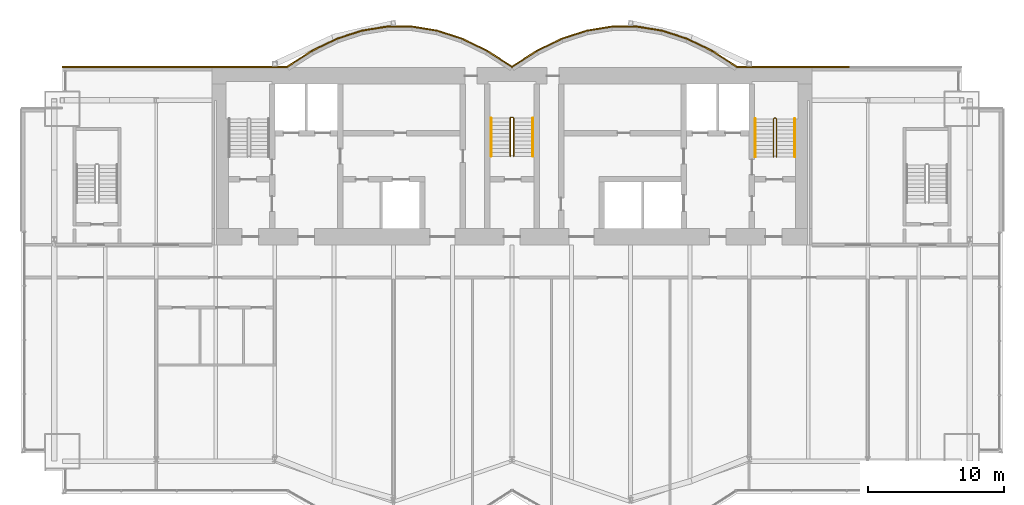
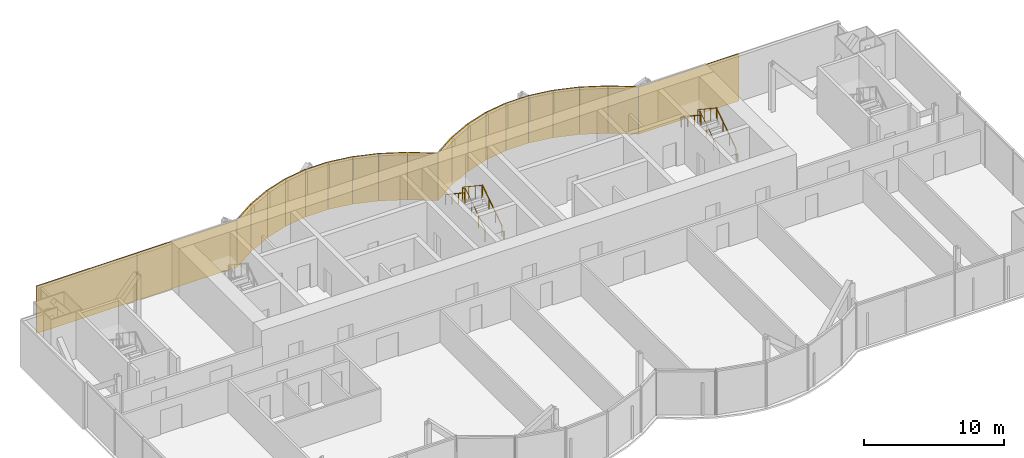
# One storey, part 19 of 20: 21 coverings, 6 railings.
"""IFC4 building model written with IfcOpenShell, lengths in metres."""

from ifc_helpers import new_model, si_unit, direction, frame, origin, origin_2d, place, context, subcontext, project, spatial, rectangle, circle, extrude, material, layer, layer_set, type_object, element, save


model = new_model("IFC4")

# Units and contexts
model_context = context("Model", 3, precision=1e-05, world=origin(), true_north=direction((0.0, 1.0)))
body_context = subcontext(model_context, "Body", "Model", "MODEL_VIEW")
ifc_project = project(units=[si_unit("LENGTHUNIT", "METRE"), si_unit("AREAUNIT", "SQUARE_METRE"), si_unit("VOLUMEUNIT", "CUBIC_METRE"), si_unit("PLANEANGLEUNIT", "RADIAN"), si_unit("MASSUNIT", "GRAM", prefix="KILO")], contexts=[model_context])

# Site, building, storey
site_placement = place(None, origin())
site = spatial("IfcSite", under=ifc_project, at=site_placement, CompositionType="ELEMENT")
building_placement = place(site_placement, origin())
building = spatial("IfcBuilding", under=site, at=building_placement, Name="Bicima Exchange Tower", CompositionType="ELEMENT")
storey_placement = place(building_placement, frame((0.0, 0.0, 223.699951171875)))
storey = spatial("IfcBuildingStorey", under=building, at=storey_placement, Name="L50", CompositionType="ELEMENT", Elevation=223.699951171875)

# Coverings
ifc_material_1 = material(Name="Bronze metal cladding")
ifc_layer_1 = layer(ifc_material_1, 0.004)
ifc_material_2 = material(Name="Ventilated cavity")
ifc_layer_2 = layer(ifc_material_2, 0.06)
ifc_material_3 = material(Name="Galvanised steel rail and mineral wool", Category="steel")
ifc_layer_3 = layer(ifc_material_3, 0.036)
ifc_layer_set = layer_set([ifc_layer_1, ifc_layer_2, ifc_layer_3], Name="Ventilated cavity")
covering_type = type_object("IfcCoveringType", Name="Bronze metal cladding panel 100", PredefinedType="CLADDING", material=ifc_layer_set)
covering_1_placement = place(storey_placement, frame((20.625, 0.050048828125, -0.14990234375), z_axis=(0.0, 0.0, 1.0), x_axis=(-1.0, 0.0, 0.0)))
element("IfcCovering", 1, at=covering_1_placement, inside=storey, type_object=covering_type, Name="Bronze cladding L50 1.2", PredefinedType="CLADDING", context=body_context, shape_type="SweptSolid", body=[
    extrude(rectangle(XDim=8.25, YDim=0.10009765625, at=origin_2d()), origin(), (0.0, 0.0, 1.0), 4.10009765625),
])
covering_2_placement = place(storey_placement, frame((15.610595703125, 0.634521484375, -0.14990234375), z_axis=(0.0, 0.0, 1.0), x_axis=(-0.839790466384, 0.542910648791, 0.0)))
element("IfcCovering", 2, at=covering_2_placement, inside=storey, type_object=covering_type, Name="Bronze cladding L50 2.1", PredefinedType="CLADDING", context=body_context, shape_type="SweptSolid", body=[
    extrude(rectangle(XDim=2.18310546875, YDim=0.10009765625, at=origin_2d()), origin(), (0.0, 0.0, 1.0), 4.10009765625),
])
covering_3_placement = place(storey_placement, frame((13.771728515625, 1.674560546875, -0.14990234375), z_axis=(0.0, 0.0, 1.0), x_axis=(-0.899818346812, 0.436264762204, 0.0)))
element("IfcCovering", 3, at=covering_3_placement, inside=storey, type_object=covering_type, Name="Bronze cladding L50 3.1", PredefinedType="CLADDING", context=body_context, shape_type="SweptSolid", body=[
    extrude(rectangle(XDim=2.03759765625, YDim=0.10009765625, at=origin_2d()), origin(), (0.0, 0.0, 1.0), 4.10009765625),
])
covering_4_placement = place(storey_placement, frame((11.931884765625, 2.41796875, -0.14990234375), z_axis=(0.0, 0.0, 1.0), x_axis=(-0.951524642381, 0.307572519808, 0.0)))
element("IfcCovering", 4, at=covering_4_placement, inside=storey, type_object=covering_type, Name="Bronze cladding L50 4.1", PredefinedType="CLADDING", context=body_context, shape_type="SweptSolid", body=[
    extrude(rectangle(XDim=1.9267578125, YDim=0.10009765625, at=origin_2d()), origin(), (0.0, 0.0, 1.0), 4.10009765625),
])
covering_5_placement = place(storey_placement, frame((10.09130859375, 2.8642578125, -0.14990234375), z_axis=(0.0, 0.0, 1.0), x_axis=(-0.987189786347, 0.159550386184, 0.0)))
element("IfcCovering", 5, at=covering_5_placement, inside=storey, type_object=covering_type, Name="Bronze cladding L50 5.1", PredefinedType="CLADDING", context=body_context, shape_type="SweptSolid", body=[
    extrude(rectangle(XDim=1.857177734375, YDim=0.10009765625, at=origin_2d()), origin(), (0.0, 0.0, 1.0), 4.10009765625),
])
covering_6_placement = place(storey_placement, frame((8.25, 3.012939453125, -0.14990234375), z_axis=(0.0, 0.0, 1.0), x_axis=(-1.0, 0.0, 0.0)))
element("IfcCovering", 6, at=covering_6_placement, inside=storey, type_object=covering_type, Name="Bronze cladding L50 6.1", PredefinedType="CLADDING", context=body_context, shape_type="SweptSolid", body=[
    extrude(rectangle(XDim=1.83349609375, YDim=0.10009765625, at=origin_2d()), origin(), (0.0, 0.0, 1.0), 4.10009765625),
])
covering_7_placement = place(storey_placement, frame((6.40869140625, 2.8642578125, -0.14990234375), z_axis=(0.0, 0.0, 1.0), x_axis=(-0.987189786347, -0.159550386184, 0.0)))
element("IfcCovering", 7, at=covering_7_placement, inside=storey, type_object=covering_type, Name="Bronze cladding L50 7.1", PredefinedType="CLADDING", context=body_context, shape_type="SweptSolid", body=[
    extrude(rectangle(XDim=1.857177734375, YDim=0.10009765625, at=origin_2d()), origin(), (0.0, 0.0, 1.0), 4.10009765625),
])
covering_8_placement = place(storey_placement, frame((4.568115234375, 2.41796875, -0.14990234375), z_axis=(0.0, 0.0, 1.0), x_axis=(-0.951524642381, -0.307572519808, 0.0)))
element("IfcCovering", 8, at=covering_8_placement, inside=storey, type_object=covering_type, Name="Bronze cladding L50 8.1", PredefinedType="CLADDING", context=body_context, shape_type="SweptSolid", body=[
    extrude(rectangle(XDim=1.9267578125, YDim=0.10009765625, at=origin_2d()), origin(), (0.0, 0.0, 1.0), 4.10009765625),
])
covering_9_placement = place(storey_placement, frame((2.728271484375, 1.674560546875, -0.14990234375), z_axis=(0.0, 0.0, 1.0), x_axis=(-0.899818346812, -0.436264762204, 0.0)))
element("IfcCovering", 9, at=covering_9_placement, inside=storey, type_object=covering_type, Name="Bronze cladding L50 9.1", PredefinedType="CLADDING", context=body_context, shape_type="SweptSolid", body=[
    extrude(rectangle(XDim=2.03759765625, YDim=0.10009765625, at=origin_2d()), origin(), (0.0, 0.0, 1.0), 4.10009765625),
])
for number, where, z_axis, x_axis, name in (
    (10, (0.889404296875, 0.634521484375, -0.14990234375), (0.0, 0.0, 1.0), (-0.839790466384, -0.542910648791, 0.0), "Bronze cladding L50 10.1"),
    (11, (-0.889404296875, 0.634521484375, -0.14990234375), (0.0, 0.0, 1.0), (-0.839790466384, 0.542910648791, 0.0), "Bronze cladding L50 11.1"),
):
    element("IfcCovering", number, at=place(storey_placement, frame(where, z_axis=z_axis, x_axis=x_axis)), inside=storey, type_object=covering_type, Name=name, PredefinedType="CLADDING", context=body_context, shape_type="SweptSolid", body=[
        extrude(rectangle(XDim=2.18310546875, YDim=0.10009765625, at=origin_2d()), origin(), (0.0, 0.0, 1.0), 4.10009765625),
    ])
covering_10_placement = place(storey_placement, frame((-2.728271484375, 1.674560546875, -0.14990234375), z_axis=(0.0, 0.0, 1.0), x_axis=(-0.899818346812, 0.436264762204, 0.0)))
element("IfcCovering", 12, at=covering_10_placement, inside=storey, type_object=covering_type, Name="Bronze cladding L50 12.1", PredefinedType="CLADDING", context=body_context, shape_type="SweptSolid", body=[
    extrude(rectangle(XDim=2.03759765625, YDim=0.10009765625, at=origin_2d()), origin(), (0.0, 0.0, 1.0), 4.10009765625),
])
covering_11_placement = place(storey_placement, frame((-4.568115234375, 2.41796875, -0.14990234375), z_axis=(0.0, 0.0, 1.0), x_axis=(-0.951524642381, 0.307572519808, 0.0)))
element("IfcCovering", 13, at=covering_11_placement, inside=storey, type_object=covering_type, Name="Bronze cladding L50 13.1", PredefinedType="CLADDING", context=body_context, shape_type="SweptSolid", body=[
    extrude(rectangle(XDim=1.9267578125, YDim=0.10009765625, at=origin_2d()), origin(), (0.0, 0.0, 1.0), 4.10009765625),
])
covering_12_placement = place(storey_placement, frame((-6.40869140625, 2.8642578125, -0.14990234375), z_axis=(0.0, 0.0, 1.0), x_axis=(-0.987189786347, 0.159550386184, 0.0)))
element("IfcCovering", 14, at=covering_12_placement, inside=storey, type_object=covering_type, Name="Bronze cladding L50 14.1", PredefinedType="CLADDING", context=body_context, shape_type="SweptSolid", body=[
    extrude(rectangle(XDim=1.857177734375, YDim=0.10009765625, at=origin_2d()), origin(), (0.0, 0.0, 1.0), 4.10009765625),
])
covering_13_placement = place(storey_placement, frame((-8.25, 3.012939453125, -0.14990234375), z_axis=(0.0, 0.0, 1.0), x_axis=(-1.0, 0.0, 0.0)))
element("IfcCovering", 15, at=covering_13_placement, inside=storey, type_object=covering_type, Name="Bronze cladding L50 15.1", PredefinedType="CLADDING", context=body_context, shape_type="SweptSolid", body=[
    extrude(rectangle(XDim=1.83349609375, YDim=0.10009765625, at=origin_2d()), origin(), (0.0, 0.0, 1.0), 4.10009765625),
])
covering_14_placement = place(storey_placement, frame((-10.09130859375, 2.8642578125, -0.14990234375), z_axis=(0.0, 0.0, 1.0), x_axis=(-0.987189786347, -0.159550386184, 0.0)))
element("IfcCovering", 16, at=covering_14_placement, inside=storey, type_object=covering_type, Name="Bronze cladding L50 16.1", PredefinedType="CLADDING", context=body_context, shape_type="SweptSolid", body=[
    extrude(rectangle(XDim=1.857177734375, YDim=0.10009765625, at=origin_2d()), origin(), (0.0, 0.0, 1.0), 4.10009765625),
])
covering_15_placement = place(storey_placement, frame((-11.931884765625, 2.41796875, -0.14990234375), z_axis=(0.0, 0.0, 1.0), x_axis=(-0.951524642381, -0.307572519808, 0.0)))
element("IfcCovering", 17, at=covering_15_placement, inside=storey, type_object=covering_type, Name="Bronze cladding L50 17.1", PredefinedType="CLADDING", context=body_context, shape_type="SweptSolid", body=[
    extrude(rectangle(XDim=1.9267578125, YDim=0.10009765625, at=origin_2d()), origin(), (0.0, 0.0, 1.0), 4.10009765625),
])
covering_16_placement = place(storey_placement, frame((-13.771728515625, 1.674560546875, -0.14990234375), z_axis=(0.0, 0.0, 1.0), x_axis=(-0.899818346812, -0.436264762204, 0.0)))
element("IfcCovering", 18, at=covering_16_placement, inside=storey, type_object=covering_type, Name="Bronze cladding L50 18.1", PredefinedType="CLADDING", context=body_context, shape_type="SweptSolid", body=[
    extrude(rectangle(XDim=2.03759765625, YDim=0.10009765625, at=origin_2d()), origin(), (0.0, 0.0, 1.0), 4.10009765625),
])
covering_17_placement = place(storey_placement, frame((-15.610595703125, 0.634521484375, -0.14990234375), z_axis=(0.0, 0.0, 1.0), x_axis=(-0.839790466384, -0.542910648791, 0.0)))
element("IfcCovering", 19, at=covering_17_placement, inside=storey, type_object=covering_type, Name="Bronze cladding L50 19.1", PredefinedType="CLADDING", context=body_context, shape_type="SweptSolid", body=[
    extrude(rectangle(XDim=2.18310546875, YDim=0.10009765625, at=origin_2d()), origin(), (0.0, 0.0, 1.0), 4.10009765625),
])
for number, where, z_axis, x_axis, name in (
    (20, (-20.625, 0.050048828125, -0.14990234375), (0.0, 0.0, 1.0), (-1.0, 0.0, 0.0), "Bronze cladding L50 20.1"),
    (21, (-28.875, 0.050048828125, -0.14990234375), (0.0, 0.0, 1.0), (-1.0, 0.0, 0.0), "Bronze cladding L50 20.2"),
):
    element("IfcCovering", number, at=place(storey_placement, frame(where, z_axis=z_axis, x_axis=x_axis)), inside=storey, type_object=covering_type, Name=name, PredefinedType="CLADDING", context=body_context, shape_type="SweptSolid", body=[
        extrude(rectangle(XDim=8.25, YDim=0.10009765625, at=origin_2d()), origin(), (0.0, 0.0, 1.0), 4.10009765625),
    ])

# Railings
ifc_material_4 = material(Name="Stainless steel", Category="steel")
railing_type_1 = type_object("IfcRailingType", Name="Stair guard 1100", PredefinedType="GUARDRAIL", material=ifc_material_4)
railing_1_placement = place(storey_placement, frame((0.125, -6.5, 0.1865234375)))
element("IfcRailing", 22, at=railing_1_placement, inside=storey, type_object=railing_type_1, Name="L50 ST-C stair guard 1", PredefinedType="GUARDRAIL", context=body_context, shape_type="SweptSolid", body=[
    extrude(circle(Radius=0.02392578125, at=origin_2d()), frame((0.0, 0.0, 1.076171875), z_axis=(0.0, 0.832485552168, 0.554046753832), x_axis=(-1.0, 0.0, 0.0)), (0.0, 0.0, 1.0), 3.363525390625),
    extrude(circle(Radius=0.02392578125, at=origin_2d()), frame((0.0, 2.800048828125, 2.939453125), z_axis=(-0.707106781187, 0.707106781187, 0.0), x_axis=(-0.707106781187, -0.707106781187, 0.0)), (0.0, 0.0, 1.0), 0.07080078125),
    extrude(circle(Radius=0.02392578125, at=origin_2d()), frame((-0.050048828125, 2.85009765625, 2.939453125), z_axis=(-1.0, 0.0, 0.0), x_axis=(0.0, -1.0, 0.0)), (0.0, 0.0, 1.0), 0.14990234375),
    extrude(circle(Radius=0.02392578125, at=origin_2d()), frame((-0.199951171875, 2.85009765625, 2.939453125), z_axis=(-0.251157038772, -0.251157038772, 0.934794246747), x_axis=(0.707106781187, -0.707106781187, 0.0)), (0.0, 0.0, 1.0), 0.19921875),
    extrude(circle(Radius=0.02392578125, at=origin_2d()), frame((-0.25, 2.800048828125, 3.1259765625), z_axis=(0.0, -0.832452072856, 0.554097055034), x_axis=(1.0, 0.0, 0.0)), (0.0, 0.0, 1.0), 3.363525390625),
    extrude(circle(Radius=0.02099609375, at=origin_2d()), origin(), (0.0, 0.0, 1.0), 1.052001953125),
    extrude(circle(Radius=0.02099609375, at=origin_2d()), frame((0.0, 0.933349609375, 0.62109375)), (0.0, 0.0, 1.0), 1.052001953125),
    extrude(circle(Radius=0.02099609375, at=origin_2d()), frame((0.0, 1.86669921875, 1.242431640625)), (0.0, 0.0, 1.0), 1.052001953125),
    extrude(circle(Radius=0.02099609375, at=origin_2d()), frame((0.0, 2.800048828125, 1.863525390625)), (0.0, 0.0, 1.0), 1.052001953125),
    extrude(circle(Radius=0.02099609375, at=origin_2d()), frame((-0.050048828125, 2.85009765625, 1.863525390625)), (0.0, 0.0, 1.0), 1.052001953125),
    extrude(circle(Radius=0.02099609375, at=origin_2d()), frame((-0.199951171875, 2.85009765625, 1.863525390625)), (0.0, 0.0, 1.0), 1.052001953125),
    extrude(circle(Radius=0.02099609375, at=origin_2d()), frame((-0.25, 2.800048828125, 2.0498046875)), (0.0, 0.0, 1.0), 1.052001953125),
    extrude(circle(Radius=0.02099609375, at=origin_2d()), frame((-0.25, 1.86669921875, 2.671142578125)), (0.0, 0.0, 1.0), 1.052001953125),
    extrude(circle(Radius=0.02099609375, at=origin_2d()), frame((-0.25, 0.933349609375, 3.292236328125)), (0.0, 0.0, 1.0), 1.052001953125),
    extrude(circle(Radius=0.02099609375, at=origin_2d()), frame((-0.25, 0.0, 3.91357421875)), (0.0, 0.0, 1.0), 1.052001953125),
])
railing_2_placement = place(storey_placement, frame((19.39990234375, -6.550048828125, 0.1865234375)))
element("IfcRailing", 23, at=railing_2_placement, inside=storey, type_object=railing_type_1, Name="L50 ST-E stair guard 1", PredefinedType="GUARDRAIL", context=body_context, shape_type="SweptSolid", body=[
    extrude(circle(Radius=0.02392578125, at=origin_2d()), frame((0.0, 0.0, 1.076171875), z_axis=(0.0, 0.832485552168, 0.554046753832), x_axis=(-1.0, 0.0, 0.0)), (0.0, 0.0, 1.0), 3.363525390625),
    extrude(circle(Radius=0.02392578125, at=origin_2d()), frame((0.0, 2.800048828125, 2.939453125), z_axis=(-0.705375805398, 0.708833529934, 0.0), x_axis=(-0.708833529934, -0.705375805398, 0.0)), (0.0, 0.0, 1.0), 0.070556640625),
    extrude(circle(Radius=0.02392578125, at=origin_2d()), frame((-0.0498046875, 2.85009765625, 2.939453125), z_axis=(-1.0, 0.0, 0.0), x_axis=(0.0, -1.0, 0.0)), (0.0, 0.0, 1.0), 0.10009765625),
    extrude(circle(Radius=0.02392578125, at=origin_2d()), frame((-0.14990234375, 2.85009765625, 2.939453125), z_axis=(-0.251157038772, -0.251157038772, 0.934794246747), x_axis=(0.707106781187, -0.707106781187, 0.0)), (0.0, 0.0, 1.0), 0.19921875),
    extrude(circle(Radius=0.02392578125, at=origin_2d()), frame((-0.199951171875, 2.800048828125, 3.1259765625), z_axis=(0.0, -0.832452072856, 0.554097055034), x_axis=(1.0, 0.0, 0.0)), (0.0, 0.0, 1.0), 3.363525390625),
    extrude(circle(Radius=0.02099609375, at=origin_2d()), origin(), (0.0, 0.0, 1.0), 1.052001953125),
    extrude(circle(Radius=0.02099609375, at=origin_2d()), frame((0.0, 0.933349609375, 0.62109375)), (0.0, 0.0, 1.0), 1.052001953125),
    extrude(circle(Radius=0.02099609375, at=origin_2d()), frame((0.0, 1.86669921875, 1.242431640625)), (0.0, 0.0, 1.0), 1.052001953125),
    extrude(circle(Radius=0.02099609375, at=origin_2d()), frame((0.0, 2.800048828125, 1.863525390625)), (0.0, 0.0, 1.0), 1.052001953125),
    extrude(circle(Radius=0.02099609375, at=origin_2d()), frame((-0.0498046875, 2.85009765625, 1.863525390625)), (0.0, 0.0, 1.0), 1.052001953125),
    extrude(circle(Radius=0.02099609375, at=origin_2d()), frame((-0.14990234375, 2.85009765625, 1.863525390625)), (0.0, 0.0, 1.0), 1.052001953125),
    extrude(circle(Radius=0.02099609375, at=origin_2d()), frame((-0.199951171875, 2.800048828125, 2.0498046875)), (0.0, 0.0, 1.0), 1.052001953125),
    extrude(circle(Radius=0.02099609375, at=origin_2d()), frame((-0.199951171875, 1.86669921875, 2.671142578125)), (0.0, 0.0, 1.0), 1.052001953125),
    extrude(circle(Radius=0.02099609375, at=origin_2d()), frame((-0.199951171875, 0.933349609375, 3.292236328125)), (0.0, 0.0, 1.0), 1.052001953125),
    extrude(circle(Radius=0.02099609375, at=origin_2d()), frame((-0.199951171875, 0.0, 3.91357421875)), (0.0, 0.0, 1.0), 1.052001953125),
])
railing_type_2 = type_object("IfcRailingType", Name="Stair handrail 900", PredefinedType="HANDRAIL", material=ifc_material_4)
railing_3_placement = place(storey_placement, frame((1.52490234375, -6.5, 0.1865234375)))
element("IfcRailing", 24, at=railing_3_placement, inside=storey, type_object=railing_type_2, Name="L50 ST-C stair handrail 1", PredefinedType="HANDRAIL", context=body_context, shape_type="SweptSolid", body=[
    extrude(circle(Radius=0.02392578125, at=origin_2d()), frame((0.0, 0.0, 0.8759765625), z_axis=(0.0, 0.832485552168, 0.554046753832), x_axis=(-1.0, 0.0, 0.0)), (0.0, 0.0, 1.0), 3.363525390625),
    extrude(circle(Radius=0.02099609375, at=origin_2d()), origin(), (0.0, 0.0, 1.0), 0.851806640625),
    extrude(circle(Radius=0.02099609375, at=origin_2d()), frame((0.0, 0.933349609375, 0.62109375)), (0.0, 0.0, 1.0), 0.851806640625),
    extrude(circle(Radius=0.02099609375, at=origin_2d()), frame((0.0, 1.86669921875, 1.242431640625)), (0.0, 0.0, 1.0), 0.851806640625),
    extrude(circle(Radius=0.02099609375, at=origin_2d()), frame((0.0, 2.800048828125, 1.863525390625)), (0.0, 0.0, 1.0), 0.851806640625),
])
railing_4_placement = place(storey_placement, frame((-1.52490234375, -3.699951171875, 2.27685546875)))
element("IfcRailing", 25, at=railing_4_placement, inside=storey, type_object=railing_type_2, Name="L50 ST-C stair handrail 2", PredefinedType="HANDRAIL", context=body_context, shape_type="SweptSolid", body=[
    extrude(circle(Radius=0.02392578125, at=origin_2d()), frame((0.0, 0.0, 0.8759765625), z_axis=(0.0, -0.832485552168, 0.554046753832), x_axis=(1.0, 0.0, 0.0)), (0.0, 0.0, 1.0), 3.363525390625),
    extrude(circle(Radius=0.02099609375, at=origin_2d()), origin(), (0.0, 0.0, 1.0), 0.851806640625),
    extrude(circle(Radius=0.02099609375, at=origin_2d()), frame((0.0, -0.933349609375, 0.62109375)), (0.0, 0.0, 1.0), 0.851806640625),
    extrude(circle(Radius=0.02099609375, at=origin_2d()), frame((0.0, -1.86669921875, 1.242431640625)), (0.0, 0.0, 1.0), 0.851806640625),
    extrude(circle(Radius=0.02099609375, at=origin_2d()), frame((0.0, -2.800048828125, 1.863525390625)), (0.0, 0.0, 1.0), 0.851806640625),
])
railing_5_placement = place(storey_placement, frame((20.75, -6.550048828125, 0.1865234375)))
element("IfcRailing", 26, at=railing_5_placement, inside=storey, type_object=railing_type_2, Name="L50 ST-E stair handrail 1", PredefinedType="HANDRAIL", context=body_context, shape_type="SweptSolid", body=[
    extrude(circle(Radius=0.02392578125, at=origin_2d()), frame((0.0, 0.0, 0.8759765625), z_axis=(0.0, 0.832485552168, 0.554046753832), x_axis=(-1.0, 0.0, 0.0)), (0.0, 0.0, 1.0), 3.363525390625),
    extrude(circle(Radius=0.02099609375, at=origin_2d()), origin(), (0.0, 0.0, 1.0), 0.851806640625),
    extrude(circle(Radius=0.02099609375, at=origin_2d()), frame((0.0, 0.933349609375, 0.62109375)), (0.0, 0.0, 1.0), 0.851806640625),
    extrude(circle(Radius=0.02099609375, at=origin_2d()), frame((0.0, 1.86669921875, 1.242431640625)), (0.0, 0.0, 1.0), 0.851806640625),
    extrude(circle(Radius=0.02099609375, at=origin_2d()), frame((0.0, 2.800048828125, 1.863525390625)), (0.0, 0.0, 1.0), 0.851806640625),
])
railing_6_placement = place(storey_placement, frame((17.85009765625, -3.75, 2.27685546875)))
element("IfcRailing", 27, at=railing_6_placement, inside=storey, type_object=railing_type_2, Name="L50 ST-E stair handrail 2", PredefinedType="HANDRAIL", context=body_context, shape_type="SweptSolid", body=[
    extrude(circle(Radius=0.02392578125, at=origin_2d()), frame((0.0, 0.0, 0.8759765625), z_axis=(0.0, -0.832485552168, 0.554046753832), x_axis=(1.0, 0.0, 0.0)), (0.0, 0.0, 1.0), 3.363525390625),
    extrude(circle(Radius=0.02099609375, at=origin_2d()), origin(), (0.0, 0.0, 1.0), 0.851806640625),
    extrude(circle(Radius=0.02099609375, at=origin_2d()), frame((0.0, -0.933349609375, 0.62109375)), (0.0, 0.0, 1.0), 0.851806640625),
    extrude(circle(Radius=0.02099609375, at=origin_2d()), frame((0.0, -1.86669921875, 1.242431640625)), (0.0, 0.0, 1.0), 0.851806640625),
    extrude(circle(Radius=0.02099609375, at=origin_2d()), frame((0.0, -2.800048828125, 1.863525390625)), (0.0, 0.0, 1.0), 0.851806640625),
])

save(model, "model.ifc")
